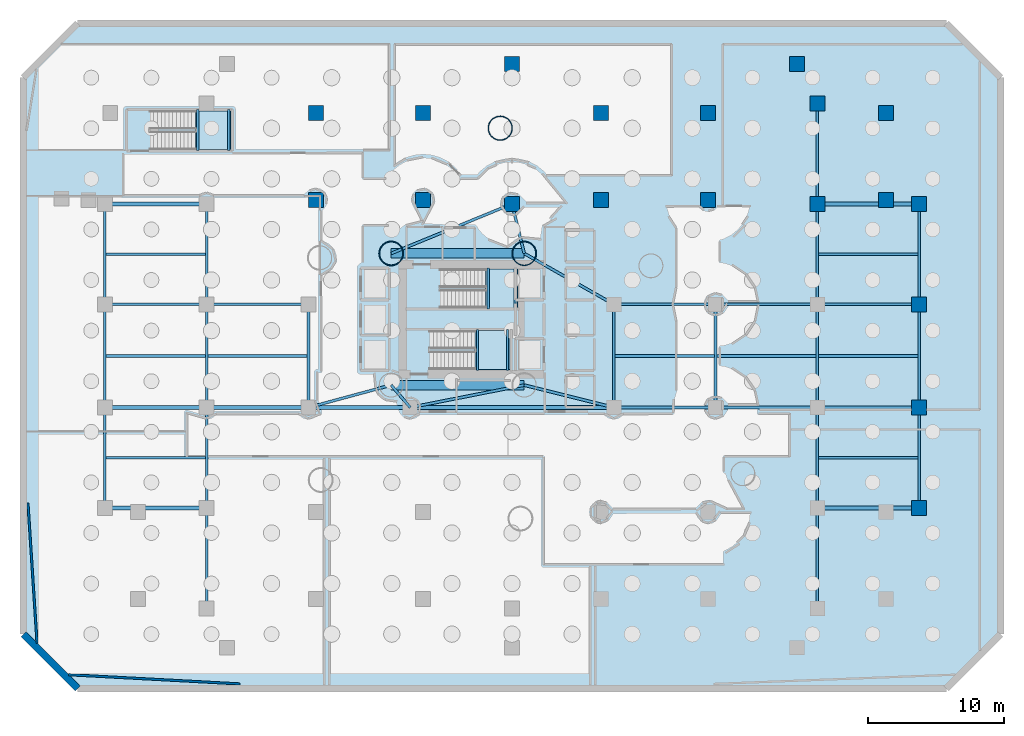
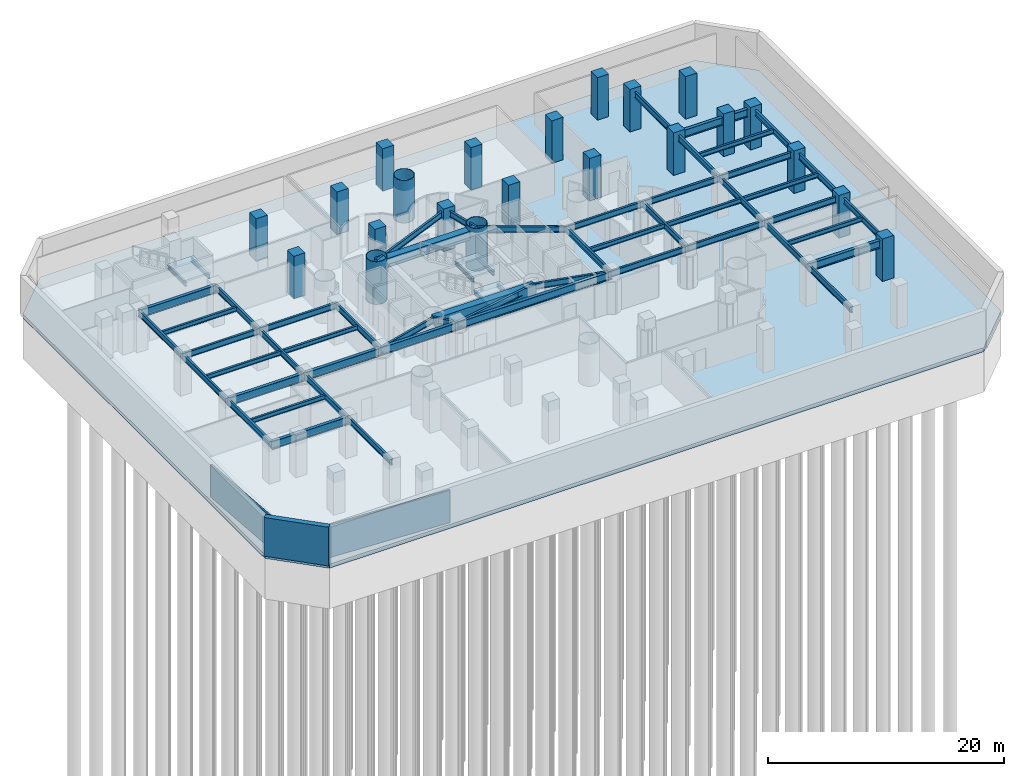
# One storey, part 2 of 13: 58 beams, 22 columns, 4 slabs, 3 walls, 3 elements without a shape of their own.
"""IFC4 building model written with IfcOpenShell, lengths in metres."""

from ifc_helpers import new_model, si_unit, direction, frame, frame_2d, origin, origin_2d, place, context, subcontext, project, spatial, polyline, rectangle, hollow_circle, i_section, outline, extrude, material, layer, layer_set, material_profile, profile_set, type_object, element, aggregate, save


model = new_model("IFC4")

# Units and contexts
model_context = context("Model", 3, precision=1e-05, world=origin(), true_north=direction((0.0, 1.0)))
body_context = subcontext(model_context, "Body", "Model", "MODEL_VIEW")
ifc_project = project(units=[si_unit("LENGTHUNIT", "METRE"), si_unit("AREAUNIT", "SQUARE_METRE"), si_unit("VOLUMEUNIT", "CUBIC_METRE"), si_unit("PLANEANGLEUNIT", "RADIAN"), si_unit("MASSUNIT", "GRAM", prefix="KILO")], contexts=[model_context])

# Site, building, storey
site_placement = place(None, origin())
site = spatial("IfcSite", under=ifc_project, at=site_placement, CompositionType="ELEMENT")
building_placement = place(site_placement, origin())
building = spatial("IfcBuilding", under=site, at=building_placement, Name="Qianvela Tower", CompositionType="ELEMENT")
storey_placement = place(building_placement, frame((0.0, 0.0, -10.0)))
storey = spatial("IfcBuildingStorey", under=building, at=storey_placement, Name="B02", CompositionType="ELEMENT", Elevation=-10.0)

# Columns
ifc_material_1 = material(Name="Steel Q420GJC", Category="steel")
ifc_material_profile_1 = material_profile(ifc_material_1, hollow_circle(Radius=0.89990234375, WallThickness=0.044921875, at=origin_2d()), Name="CFT-1800x45")
ifc_profile_set_1 = profile_set([ifc_material_profile_1], Name="Steel Q420GJC")
column_type_1 = type_object("IfcColumnType", Name="COL-CFT-1800x45", PredefinedType="COLUMN", material=ifc_profile_set_1)
for number, where, z_axis, x_axis, name in (
    (1, (28.60009765625, 33.550048828125, 0.0), (0.0, 0.0, 1.0), (1.0, 0.0, 0.0), "B02 Core Corner Mega-Column CC-NW"),
    (2, (38.39990234375, 33.550048828125, 0.0), (0.0, 0.0, 1.0), (1.0, 0.0, 0.0), "B02 Core Corner Mega-Column CC-NE"),
    (3, (36.632080078125, 42.778076171875, 0.0), (0.0, 0.0, 1.0), (1.0, 0.0, 0.0), "B02 Tower Base CFT Mega-Column C3"),
):
    element("IfcColumn", number, at=place(storey_placement, frame(where, z_axis=z_axis, x_axis=x_axis)), inside=storey, type_object=column_type_1, Name=name, PredefinedType="COLUMN", context=body_context, shape_type="SweptSolid", body=[
        extrude(hollow_circle(Radius=0.89990234375, WallThickness=0.044921875, at=origin_2d()), origin(), (0.0, 0.0, 1.0), 4.39990234375),
    ])
ifc_material_2 = material(Name="Concrete C60", Category="concrete")
ifc_material_profile_2 = material_profile(ifc_material_2, rectangle(XDim=1.10009765625, YDim=1.10009765625, at=origin_2d()), Name="RC-COL-1100x1100")
ifc_profile_set_2 = profile_set([ifc_material_profile_2], Name="Concrete C60")
column_type_2 = type_object("IfcColumnType", Name="COL-RC-1100", PredefinedType="COLUMN", material=ifc_profile_set_2)
for number, where, z_axis, x_axis, name in (
    (4, (23.044677734375, 43.89990234375, 0.0), (0.0, 0.0, 1.0), (1.0, 0.0, 0.0), "B02 Concourse Colonnade Column VC-N1-R-B1"),
    (5, (23.044677734375, 37.5, 0.0), (0.0, 0.0, 1.0), (1.0, 0.0, 0.0), "B02 Concourse Colonnade Column VC-N1-R-B2"),
    (6, (30.955322265625, 43.89990234375, 0.0), (0.0, 0.0, 1.0), (1.0, 0.0, 0.0), "B02 Concourse Colonnade Column VC-N2-L-B1"),
    (7, (30.955322265625, 37.5, 0.0), (0.0, 0.0, 1.0), (1.0, 0.0, 0.0), "B02 Concourse Colonnade Column VC-N2-L-B2"),
    (8, (44.044677734375, 43.89990234375, 0.0), (0.0, 0.0, 1.0), (1.0, 0.0, 0.0), "B02 Concourse Colonnade Column VC-N2-R-B1"),
    (9, (44.044677734375, 37.5, 0.0), (0.0, 0.0, 1.0), (1.0, 0.0, 0.0), "B02 Concourse Colonnade Column VC-N2-R-B2"),
    (10, (51.955322265625, 43.89990234375, 0.0), (0.0, 0.0, 1.0), (1.0, 0.0, 0.0), "B02 Concourse Colonnade Column VC-N3-L-B1"),
    (11, (51.955322265625, 37.5, 0.0), (0.0, 0.0, 1.0), (1.0, 0.0, 0.0), "B02 Concourse Colonnade Column VC-N3-L-B2"),
    (12, (65.044677734375, 43.89990234375, 0.0), (0.0, 0.0, 1.0), (1.0, 0.0, 0.0), "B02 Concourse Colonnade Column VC-N3-R-B1"),
    (13, (65.044677734375, 37.5, 0.0), (0.0, 0.0, 1.0), (1.0, 0.0, 0.0), "B02 Concourse Colonnade Column VC-N3-R-B2"),
    (14, (37.5, 37.199951171875, 0.0), (0.0, 0.0, 1.0), (1.0, 0.0, 0.0), "B02 Podium Grid Column P24"),
    (15, (60.0, 37.199951171875, 0.0), (0.0, 0.0, 1.0), (1.0, 0.0, 0.0), "B02 Podium Grid Column P42"),
    (16, (60.0, 44.60009765625, 0.0), (0.0, 0.0, 1.0), (1.0, 0.0, 0.0), "B02 Podium Grid Column P43"),
    (17, (67.5, 14.800048828125, 0.0), (0.0, 0.0, 1.0), (1.0, 0.0, 0.0), "B02 Podium Grid Column P44"),
    (18, (67.5, 22.199951171875, 0.0), (0.0, 0.0, 1.0), (1.0, 0.0, 0.0), "B02 Podium Grid Column P45"),
    (19, (67.5, 29.800048828125, 0.0), (0.0, 0.0, 1.0), (1.0, 0.0, 0.0), "B02 Podium Grid Column P46"),
    (20, (67.5, 37.199951171875, 0.0), (0.0, 0.0, 1.0), (1.0, 0.0, 0.0), "B02 Podium Grid Column P47"),
    (21, (37.5, 47.5, 0.0), (0.0, 0.0, 1.0), (1.0, 0.0, 0.0), "B02 Concourse V-Column Pier VC-N2"),
    (22, (58.5, 47.5, 0.0), (0.0, 0.0, 1.0), (1.0, 0.0, 0.0), "B02 Concourse V-Column Pier VC-N3"),
):
    element("IfcColumn", number, at=place(storey_placement, frame(where, z_axis=z_axis, x_axis=x_axis)), inside=storey, type_object=column_type_2, Name=name, PredefinedType="COLUMN", context=body_context, shape_type="SweptSolid", body=[
        extrude(rectangle(XDim=1.10009765625, YDim=1.10009765625, at=origin_2d()), origin(), (0.0, 0.0, 1.0), 4.39990234375),
    ])

# Beams
ifc_material_3 = material(Name="Steel Q355B", Category="steel")
ifc_material_profile_3 = material_profile(ifc_material_3, i_section(OverallWidth=0.175048828125, OverallDepth=0.35009765625, WebThickness=0.007080078125, FlangeThickness=0.010986328125, at=origin_2d()), Name="HN350x175x7x11")
ifc_profile_set_3 = profile_set([ifc_material_profile_3], Name="Steel Q355B")
beam_type_1 = type_object("IfcBeamType", Name="BM-HN350-JOIST", PredefinedType="JOIST", material=ifc_profile_set_3)
for number, where, z_axis, x_axis, name in (
    (23, (35.739990234375, 29.4599609375, 1.824951171875), (0.0, 1.0, 0.0), (-1.0, 0.0, 0.0), "B02 Stair ST-1 Landing Support Beam 1.1"),
    (24, (37.719970703125, 29.4599609375, 1.824951171875), (0.0, 1.0, 0.0), (-1.0, 0.0, 0.0), "B02 Stair ST-1 Landing Support Beam 1.2"),
    (25, (34.9599609375, 24.919921875, 1.824951171875), (0.0, 1.0, 0.0), (-1.0, 0.0, 0.0), "B02 Stair ST-2 Landing Support Beam 1.1"),
    (26, (37.169921875, 24.919921875, 1.824951171875), (0.0, 1.0, 0.0), (-1.0, 0.0, 0.0), "B02 Stair ST-2 Landing Support Beam 1.2"),
):
    element("IfcBeam", number, at=place(storey_placement, frame(where, z_axis=z_axis, x_axis=x_axis)), inside=storey, type_object=beam_type_1, Name=name, PredefinedType="JOIST", context=body_context, shape_type="SweptSolid", body=[
        extrude(i_section(OverallWidth=0.175048828125, OverallDepth=0.35009765625, WebThickness=0.007080078125, FlangeThickness=0.010986328125, at=origin_2d()), origin(), (0.0, 0.0, 1.0), 3.02001953125),
    ])
for number, where, z_axis, x_axis, name in (
    (27, (14.360107421875, 41.1201171875, 1.824951171875), (0.0, 1.0, 0.0), (-1.0, 0.0, 0.0), "B02 Stair ST-3 Landing Support Beam 1.1"),
    (28, (16.6201171875, 41.1201171875, 1.824951171875), (0.0, 1.0, 0.0), (-1.0, 0.0, 0.0), "B02 Stair ST-3 Landing Support Beam 1.2"),
):
    element("IfcBeam", number, at=place(storey_placement, frame(where, z_axis=z_axis, x_axis=x_axis)), inside=storey, type_object=beam_type_1, Name=name, PredefinedType="JOIST", context=body_context, shape_type="SweptSolid", body=[
        extrude(i_section(OverallWidth=0.175048828125, OverallDepth=0.35009765625, WebThickness=0.007080078125, FlangeThickness=0.010986328125, at=origin_2d()), origin(), (0.0, 0.0, 1.0), 3.019775390625),
    ])
ifc_material_4 = material(Name="Steel Q355B", Category="steel")
ifc_material_profile_4 = material_profile(ifc_material_4, i_section(OverallWidth=0.199951171875, OverallDepth=0.449951171875, WebThickness=0.009033203125, FlangeThickness=0.013916015625, at=origin_2d()), Name="HN450x200x9x14")
ifc_profile_set_4 = profile_set([ifc_material_profile_4], Name="Steel Q355B")
beam_type_2 = type_object("IfcBeamType", Name="BM-HN450-JOIST", PredefinedType="JOIST", material=ifc_profile_set_4)
for number, where, z_axis, x_axis, name in (
    (29, (7.595947265625, 18.5, 3.77294921875), (1.0, 0.0, 0.0), (0.0, 1.0, 0.0), "B02 Secondary Floor Joist 44"),
    (30, (7.595947265625, 26.0, 3.77294921875), (1.0, 0.0, 0.0), (0.0, 1.0, 0.0), "B02 Secondary Floor Joist 45"),
    (31, (7.595947265625, 33.5, 3.77294921875), (1.0, 0.0, 0.0), (0.0, 1.0, 0.0), "B02 Secondary Floor Joist 46"),
    (32, (15.095947265625, 26.0, 3.77294921875), (1.0, 0.0, 0.0), (0.0, 1.0, 0.0), "B02 Secondary Floor Joist 47"),
    (33, (45.095947265625, 26.0, 3.77294921875), (1.0, 0.0, 0.0), (0.0, 1.0, 0.0), "B02 Secondary Floor Joist 48"),
    (34, (52.595947265625, 26.0, 3.77294921875), (1.0, 0.0, 0.0), (0.0, 1.0, 0.0), "B02 Secondary Floor Joist 49"),
    (35, (60.095947265625, 18.5, 3.77294921875), (1.0, 0.0, 0.0), (0.0, 1.0, 0.0), "B02 Secondary Floor Joist 50"),
    (36, (60.095947265625, 26.0, 3.77294921875), (1.0, 0.0, 0.0), (0.0, 1.0, 0.0), "B02 Secondary Floor Joist 51"),
    (37, (60.095947265625, 33.5, 3.77294921875), (1.0, 0.0, 0.0), (0.0, 1.0, 0.0), "B02 Secondary Floor Joist 52"),
):
    element("IfcBeam", number, at=place(storey_placement, frame(where, z_axis=z_axis, x_axis=x_axis)), inside=storey, type_object=beam_type_2, Name=name, PredefinedType="JOIST", context=body_context, shape_type="SweptSolid", body=[
        extrude(i_section(OverallWidth=0.199951171875, OverallDepth=0.449951171875, WebThickness=0.009033203125, FlangeThickness=0.013916015625, at=origin_2d()), origin(), (0.0, 0.0, 1.0), 7.30810546875),
    ])
ifc_material_5 = material(Name="Steel Q355B", Category="steel")
ifc_material_profile_5 = material_profile(ifc_material_5, i_section(OverallWidth=0.199951171875, OverallDepth=0.60009765625, WebThickness=0.010986328125, FlangeThickness=0.01708984375, at=origin_2d()), Name="HN600x200x11x17")
ifc_profile_set_5 = profile_set([ifc_material_profile_5], Name="Steel Q355B")
beam_type_3 = type_object("IfcBeamType", Name="BM-HN600-GIRD", PredefinedType="BEAM", material=ifc_profile_set_5)
for number, where, z_axis, x_axis, name in (
    (38, (45.0, 22.199951171875, 3.697998046875), (1.0, 0.0, 0.0), (0.0, 1.0, 0.0), "B02 East-West Grid Girder 7"),
    (39, (52.5, 22.199951171875, 3.697998046875), (1.0, 0.0, 0.0), (0.0, 1.0, 0.0), "B02 East-West Grid Girder 8"),
    (40, (60.0, 22.199951171875, 3.697998046875), (1.0, 0.0, 0.0), (0.0, 1.0, 0.0), "B02 East-West Grid Girder 9"),
    (41, (7.5, 29.800048828125, 3.697998046875), (1.0, 0.0, 0.0), (0.0, 1.0, 0.0), "B02 East-West Grid Girder 10"),
    (42, (15.0, 29.800048828125, 3.697998046875), (1.0, 0.0, 0.0), (0.0, 1.0, 0.0), "B02 East-West Grid Girder 11"),
    (43, (45.0, 29.800048828125, 3.697998046875), (1.0, 0.0, 0.0), (0.0, 1.0, 0.0), "B02 East-West Grid Girder 12"),
    (44, (52.5, 29.800048828125, 3.697998046875), (1.0, 0.0, 0.0), (0.0, 1.0, 0.0), "B02 East-West Grid Girder 13"),
    (45, (60.0, 29.800048828125, 3.697998046875), (1.0, 0.0, 0.0), (0.0, 1.0, 0.0), "B02 East-West Grid Girder 14"),
):
    element("IfcBeam", number, at=place(storey_placement, frame(where, z_axis=z_axis, x_axis=x_axis)), inside=storey, type_object=beam_type_3, Name=name, PredefinedType="BEAM", context=body_context, shape_type="SweptSolid", body=[
        extrude(i_section(OverallWidth=0.199951171875, OverallDepth=0.60009765625, WebThickness=0.010986328125, FlangeThickness=0.01708984375, at=origin_2d()), origin(), (0.0, 0.0, 1.0), 7.5),
    ])
beam_1_placement = place(storey_placement, frame((7.5, 14.800048828125, 3.697998046875), z_axis=(0.0, 1.0, 0.0), x_axis=(-1.0, 0.0, 0.0)))
element("IfcBeam", 46, at=beam_1_placement, inside=storey, type_object=beam_type_3, Name="B02 North-South Grid Girder 17", PredefinedType="BEAM", context=body_context, shape_type="SweptSolid", body=[
    extrude(i_section(OverallWidth=0.199951171875, OverallDepth=0.60009765625, WebThickness=0.010986328125, FlangeThickness=0.01708984375, at=origin_2d()), origin(), (0.0, 0.0, 1.0), 7.39990234375),
])
beam_2_placement = place(storey_placement, frame((7.5, 22.199951171875, 3.697998046875), z_axis=(0.0, 1.0, 0.0), x_axis=(-1.0, 0.0, 0.0)))
element("IfcBeam", 47, at=beam_2_placement, inside=storey, type_object=beam_type_3, Name="B02 North-South Grid Girder 18", PredefinedType="BEAM", context=body_context, shape_type="SweptSolid", body=[
    extrude(i_section(OverallWidth=0.199951171875, OverallDepth=0.60009765625, WebThickness=0.010986328125, FlangeThickness=0.01708984375, at=origin_2d()), origin(), (0.0, 0.0, 1.0), 7.60009765625),
])
beam_3_placement = place(storey_placement, frame((7.5, 29.800048828125, 3.697998046875), z_axis=(0.0, 1.0, 0.0), x_axis=(-1.0, 0.0, 0.0)))
element("IfcBeam", 48, at=beam_3_placement, inside=storey, type_object=beam_type_3, Name="B02 North-South Grid Girder 19", PredefinedType="BEAM", context=body_context, shape_type="SweptSolid", body=[
    extrude(i_section(OverallWidth=0.199951171875, OverallDepth=0.60009765625, WebThickness=0.010986328125, FlangeThickness=0.01708984375, at=origin_2d()), origin(), (0.0, 0.0, 1.0), 7.39990234375),
])
beam_4_placement = place(storey_placement, frame((15.0, 7.39990234375, 3.697998046875), z_axis=(0.0, 1.0, 0.0), x_axis=(-1.0, 0.0, 0.0)))
element("IfcBeam", 49, at=beam_4_placement, inside=storey, type_object=beam_type_3, Name="B02 North-South Grid Girder 20", PredefinedType="BEAM", context=body_context, shape_type="SweptSolid", body=[
    extrude(i_section(OverallWidth=0.199951171875, OverallDepth=0.60009765625, WebThickness=0.010986328125, FlangeThickness=0.01708984375, at=origin_2d()), origin(), (0.0, 0.0, 1.0), 7.400146484375),
])
beam_5_placement = place(storey_placement, frame((15.0, 14.800048828125, 3.697998046875), z_axis=(0.0, 1.0, 0.0), x_axis=(-1.0, 0.0, 0.0)))
element("IfcBeam", 50, at=beam_5_placement, inside=storey, type_object=beam_type_3, Name="B02 North-South Grid Girder 21", PredefinedType="BEAM", context=body_context, shape_type="SweptSolid", body=[
    extrude(i_section(OverallWidth=0.199951171875, OverallDepth=0.60009765625, WebThickness=0.010986328125, FlangeThickness=0.01708984375, at=origin_2d()), origin(), (0.0, 0.0, 1.0), 7.39990234375),
])
beam_6_placement = place(storey_placement, frame((15.0, 22.199951171875, 3.697998046875), z_axis=(0.0, 1.0, 0.0), x_axis=(-1.0, 0.0, 0.0)))
element("IfcBeam", 51, at=beam_6_placement, inside=storey, type_object=beam_type_3, Name="B02 North-South Grid Girder 22", PredefinedType="BEAM", context=body_context, shape_type="SweptSolid", body=[
    extrude(i_section(OverallWidth=0.199951171875, OverallDepth=0.60009765625, WebThickness=0.010986328125, FlangeThickness=0.01708984375, at=origin_2d()), origin(), (0.0, 0.0, 1.0), 7.60009765625),
])
beam_7_placement = place(storey_placement, frame((15.0, 29.800048828125, 3.697998046875), z_axis=(0.0, 1.0, 0.0), x_axis=(-1.0, 0.0, 0.0)))
element("IfcBeam", 52, at=beam_7_placement, inside=storey, type_object=beam_type_3, Name="B02 North-South Grid Girder 23", PredefinedType="BEAM", context=body_context, shape_type="SweptSolid", body=[
    extrude(i_section(OverallWidth=0.199951171875, OverallDepth=0.60009765625, WebThickness=0.010986328125, FlangeThickness=0.01708984375, at=origin_2d()), origin(), (0.0, 0.0, 1.0), 7.39990234375),
])
for number, where, z_axis, x_axis, name in (
    (53, (22.5, 22.199951171875, 3.697998046875), (0.0, 1.0, 0.0), (-1.0, 0.0, 0.0), "B02 North-South Grid Girder 25"),
    (54, (45.0, 22.199951171875, 3.697998046875), (0.0, 1.0, 0.0), (-1.0, 0.0, 0.0), "B02 North-South Grid Girder 26"),
    (55, (52.5, 22.199951171875, 3.697998046875), (0.0, 1.0, 0.0), (-1.0, 0.0, 0.0), "B02 North-South Grid Girder 27"),
):
    element("IfcBeam", number, at=place(storey_placement, frame(where, z_axis=z_axis, x_axis=x_axis)), inside=storey, type_object=beam_type_3, Name=name, PredefinedType="BEAM", context=body_context, shape_type="SweptSolid", body=[
        extrude(i_section(OverallWidth=0.199951171875, OverallDepth=0.60009765625, WebThickness=0.010986328125, FlangeThickness=0.01708984375, at=origin_2d()), origin(), (0.0, 0.0, 1.0), 7.60009765625),
    ])
beam_8_placement = place(storey_placement, frame((60.0, 7.39990234375, 3.697998046875), z_axis=(0.0, 1.0, 0.0), x_axis=(-1.0, 0.0, 0.0)))
element("IfcBeam", 56, at=beam_8_placement, inside=storey, type_object=beam_type_3, Name="B02 North-South Grid Girder 28", PredefinedType="BEAM", context=body_context, shape_type="SweptSolid", body=[
    extrude(i_section(OverallWidth=0.199951171875, OverallDepth=0.60009765625, WebThickness=0.010986328125, FlangeThickness=0.01708984375, at=origin_2d()), origin(), (0.0, 0.0, 1.0), 7.400146484375),
])
beam_9_placement = place(storey_placement, frame((60.0, 14.800048828125, 3.697998046875), z_axis=(0.0, 1.0, 0.0), x_axis=(-1.0, 0.0, 0.0)))
element("IfcBeam", 57, at=beam_9_placement, inside=storey, type_object=beam_type_3, Name="B02 North-South Grid Girder 29", PredefinedType="BEAM", context=body_context, shape_type="SweptSolid", body=[
    extrude(i_section(OverallWidth=0.199951171875, OverallDepth=0.60009765625, WebThickness=0.010986328125, FlangeThickness=0.01708984375, at=origin_2d()), origin(), (0.0, 0.0, 1.0), 7.39990234375),
])
beam_10_placement = place(storey_placement, frame((60.0, 22.199951171875, 3.697998046875), z_axis=(0.0, 1.0, 0.0), x_axis=(-1.0, 0.0, 0.0)))
element("IfcBeam", 58, at=beam_10_placement, inside=storey, type_object=beam_type_3, Name="B02 North-South Grid Girder 30", PredefinedType="BEAM", context=body_context, shape_type="SweptSolid", body=[
    extrude(i_section(OverallWidth=0.199951171875, OverallDepth=0.60009765625, WebThickness=0.010986328125, FlangeThickness=0.01708984375, at=origin_2d()), origin(), (0.0, 0.0, 1.0), 7.60009765625),
])
beam_11_placement = place(storey_placement, frame((60.0, 29.800048828125, 3.697998046875), z_axis=(0.0, 1.0, 0.0), x_axis=(-1.0, 0.0, 0.0)))
element("IfcBeam", 59, at=beam_11_placement, inside=storey, type_object=beam_type_3, Name="B02 North-South Grid Girder 31", PredefinedType="BEAM", context=body_context, shape_type="SweptSolid", body=[
    extrude(i_section(OverallWidth=0.199951171875, OverallDepth=0.60009765625, WebThickness=0.010986328125, FlangeThickness=0.01708984375, at=origin_2d()), origin(), (0.0, 0.0, 1.0), 7.39990234375),
])
beam_12_placement = place(storey_placement, frame((60.0, 37.199951171875, 3.697998046875), z_axis=(0.0, 1.0, 0.0), x_axis=(-1.0, 0.0, 0.0)))
element("IfcBeam", 60, at=beam_12_placement, inside=storey, type_object=beam_type_3, Name="B02 North-South Grid Girder 32", PredefinedType="BEAM", context=body_context, shape_type="SweptSolid", body=[
    extrude(i_section(OverallWidth=0.199951171875, OverallDepth=0.60009765625, WebThickness=0.010986328125, FlangeThickness=0.01708984375, at=origin_2d()), origin(), (0.0, 0.0, 1.0), 7.400146484375),
])
beam_13_placement = place(storey_placement, frame((67.5, 14.800048828125, 3.697998046875), z_axis=(0.0, 1.0, 0.0), x_axis=(-1.0, 0.0, 0.0)))
element("IfcBeam", 61, at=beam_13_placement, inside=storey, type_object=beam_type_3, Name="B02 North-South Grid Girder 33", PredefinedType="BEAM", context=body_context, shape_type="SweptSolid", body=[
    extrude(i_section(OverallWidth=0.199951171875, OverallDepth=0.60009765625, WebThickness=0.010986328125, FlangeThickness=0.01708984375, at=origin_2d()), origin(), (0.0, 0.0, 1.0), 7.39990234375),
])
beam_14_placement = place(storey_placement, frame((67.5, 22.199951171875, 3.697998046875), z_axis=(0.0, 1.0, 0.0), x_axis=(-1.0, 0.0, 0.0)))
element("IfcBeam", 62, at=beam_14_placement, inside=storey, type_object=beam_type_3, Name="B02 North-South Grid Girder 34", PredefinedType="BEAM", context=body_context, shape_type="SweptSolid", body=[
    extrude(i_section(OverallWidth=0.199951171875, OverallDepth=0.60009765625, WebThickness=0.010986328125, FlangeThickness=0.01708984375, at=origin_2d()), origin(), (0.0, 0.0, 1.0), 7.60009765625),
])
beam_15_placement = place(storey_placement, frame((67.5, 29.800048828125, 3.697998046875), z_axis=(0.0, 1.0, 0.0), x_axis=(-1.0, 0.0, 0.0)))
element("IfcBeam", 63, at=beam_15_placement, inside=storey, type_object=beam_type_3, Name="B02 North-South Grid Girder 35", PredefinedType="BEAM", context=body_context, shape_type="SweptSolid", body=[
    extrude(i_section(OverallWidth=0.199951171875, OverallDepth=0.60009765625, WebThickness=0.010986328125, FlangeThickness=0.01708984375, at=origin_2d()), origin(), (0.0, 0.0, 1.0), 7.39990234375),
])
beam_16_placement = place(storey_placement, frame((28.60009765625, 33.550048828125, 3.697998046875), z_axis=(0.925217514763, 0.379437149441, 0.0), x_axis=(-0.379437149441, 0.925217514763, 0.0)))
element("IfcBeam", 64, at=beam_16_placement, inside=storey, type_object=beam_type_3, Name="B02 Core Tie Girder 37", PredefinedType="BEAM", context=body_context, shape_type="SweptSolid", body=[
    extrude(i_section(OverallWidth=0.199951171875, OverallDepth=0.60009765625, WebThickness=0.010986328125, FlangeThickness=0.01708984375, at=origin_2d()), origin(), (0.0, 0.0, 1.0), 9.619140625),
])
beam_17_placement = place(storey_placement, frame((28.60009765625, 23.85009765625, 3.697998046875), z_axis=(0.646917812917, -0.762559730992, 0.0), x_axis=(0.762559730992, 0.646917812917, 0.0)))
element("IfcBeam", 65, at=beam_17_placement, inside=storey, type_object=beam_type_3, Name="B02 Core Tie Girder 38", PredefinedType="BEAM", context=body_context, shape_type="SweptSolid", body=[
    extrude(i_section(OverallWidth=0.199951171875, OverallDepth=0.60009765625, WebThickness=0.010986328125, FlangeThickness=0.01708984375, at=origin_2d()), origin(), (0.0, 0.0, 1.0), 2.1640625),
])
beam_18_placement = place(storey_placement, frame((28.60009765625, 23.85009765625, 3.697998046875), z_axis=(-0.96530472097, -0.26112601493, 0.0), x_axis=(0.26112601493, -0.96530472097, 0.0)))
element("IfcBeam", 66, at=beam_18_placement, inside=storey, type_object=beam_type_3, Name="B02 Core Tie Girder 39", PredefinedType="BEAM", context=body_context, shape_type="SweptSolid", body=[
    extrude(i_section(OverallWidth=0.199951171875, OverallDepth=0.60009765625, WebThickness=0.010986328125, FlangeThickness=0.01708984375, at=origin_2d()), origin(), (0.0, 0.0, 1.0), 6.3193359375),
])
beam_19_placement = place(storey_placement, frame((38.39990234375, 33.550048828125, 3.697998046875), z_axis=(-0.239386436846, 0.970924370821, 0.0), x_axis=(-0.970924370821, -0.239386436846, 0.0)))
element("IfcBeam", 67, at=beam_19_placement, inside=storey, type_object=beam_type_3, Name="B02 Core Tie Girder 40", PredefinedType="BEAM", context=body_context, shape_type="SweptSolid", body=[
    extrude(i_section(OverallWidth=0.199951171875, OverallDepth=0.60009765625, WebThickness=0.010986328125, FlangeThickness=0.01708984375, at=origin_2d()), origin(), (0.0, 0.0, 1.0), 3.75927734375),
])
beam_20_placement = place(storey_placement, frame((38.39990234375, 33.550048828125, 3.697998046875), z_axis=(0.869459696941, -0.494003881964, 0.0), x_axis=(0.494003881964, 0.869459696941, 0.0)))
element("IfcBeam", 68, at=beam_20_placement, inside=storey, type_object=beam_type_3, Name="B02 Core Tie Girder 41", PredefinedType="BEAM", context=body_context, shape_type="SweptSolid", body=[
    extrude(i_section(OverallWidth=0.199951171875, OverallDepth=0.60009765625, WebThickness=0.010986328125, FlangeThickness=0.01708984375, at=origin_2d()), origin(), (0.0, 0.0, 1.0), 7.591064453125),
])
beam_21_placement = place(storey_placement, frame((38.39990234375, 23.85009765625, 3.697998046875), z_axis=(0.970138278133, -0.242552512462, 0.0), x_axis=(0.242552512462, 0.970138278133, 0.0)))
element("IfcBeam", 69, at=beam_21_placement, inside=storey, type_object=beam_type_3, Name="B02 Core Tie Girder 42", PredefinedType="BEAM", context=body_context, shape_type="SweptSolid", body=[
    extrude(i_section(OverallWidth=0.199951171875, OverallDepth=0.60009765625, WebThickness=0.010986328125, FlangeThickness=0.01708984375, at=origin_2d()), origin(), (0.0, 0.0, 1.0), 6.80322265625),
])
beam_22_placement = place(storey_placement, frame((38.39990234375, 23.85009765625, 3.697998046875), z_axis=(-0.981245160169, -0.192763937615, 0.0), x_axis=(0.192763937615, -0.981245160169, 0.0)))
element("IfcBeam", 70, at=beam_22_placement, inside=storey, type_object=beam_type_3, Name="B02 Core Tie Girder 43", PredefinedType="BEAM", context=body_context, shape_type="SweptSolid", body=[
    extrude(i_section(OverallWidth=0.199951171875, OverallDepth=0.60009765625, WebThickness=0.010986328125, FlangeThickness=0.01708984375, at=origin_2d()), origin(), (0.0, 0.0, 1.0), 8.560546875),
])
ifc_material_6 = material(Name="Steel Q355B", Category="steel")
ifc_material_profile_6 = material_profile(ifc_material_6, i_section(OverallWidth=0.300048828125, OverallDepth=0.800048828125, WebThickness=0.013916015625, FlangeThickness=0.02587890625, at=origin_2d()), Name="HN800x300x14x26")
ifc_profile_set_6 = profile_set([ifc_material_profile_6], Name="Steel Q355B")
beam_type_4 = type_object("IfcBeamType", Name="BM-HN800-SPAND", PredefinedType="SPANDREL", material=ifc_profile_set_6)
for number, where, z_axis, x_axis, name in (
    (71, (7.5, 14.800048828125, 3.597900390625), (1.0, 0.0, 0.0), (0.0, 1.0, 0.0), "B02 East-West Grid Girder 1"),
    (72, (60.0, 14.800048828125, 3.597900390625), (1.0, 0.0, 0.0), (0.0, 1.0, 0.0), "B02 East-West Grid Girder 2"),
    (73, (7.5, 22.199951171875, 3.597900390625), (1.0, 0.0, 0.0), (0.0, 1.0, 0.0), "B02 East-West Grid Girder 3"),
    (74, (15.0, 22.199951171875, 3.597900390625), (1.0, 0.0, 0.0), (0.0, 1.0, 0.0), "B02 East-West Grid Girder 4"),
    (75, (22.5, 22.199951171875, 3.597900390625), (1.0, 0.0, 0.0), (0.0, 1.0, 0.0), "B02 East-West Grid Girder 5"),
):
    element("IfcBeam", number, at=place(storey_placement, frame(where, z_axis=z_axis, x_axis=x_axis)), inside=storey, type_object=beam_type_4, Name=name, PredefinedType="SPANDREL", context=body_context, shape_type="SweptSolid", body=[
        extrude(i_section(OverallWidth=0.300048828125, OverallDepth=0.800048828125, WebThickness=0.013916015625, FlangeThickness=0.02587890625, at=origin_2d()), origin(), (0.0, 0.0, 1.0), 7.5),
    ])
beam_23_placement = place(storey_placement, frame((30.0, 22.199951171875, 3.597900390625), z_axis=(1.0, 0.0, 0.0), x_axis=(0.0, 1.0, 0.0)))
element("IfcBeam", 76, at=beam_23_placement, inside=storey, type_object=beam_type_4, Name="B02 East-West Grid Girder 6", PredefinedType="SPANDREL", context=body_context, shape_type="SweptSolid", body=[
    extrude(i_section(OverallWidth=0.300048828125, OverallDepth=0.800048828125, WebThickness=0.013916015625, FlangeThickness=0.02587890625, at=origin_2d()), origin(), (0.0, 0.0, 1.0), 15.0),
])
for number, where, z_axis, x_axis, name in (
    (77, (7.5, 37.199951171875, 3.597900390625), (1.0, 0.0, 0.0), (0.0, 1.0, 0.0), "B02 East-West Grid Girder 15"),
    (78, (60.0, 37.199951171875, 3.597900390625), (1.0, 0.0, 0.0), (0.0, 1.0, 0.0), "B02 East-West Grid Girder 16"),
):
    element("IfcBeam", number, at=place(storey_placement, frame(where, z_axis=z_axis, x_axis=x_axis)), inside=storey, type_object=beam_type_4, Name=name, PredefinedType="SPANDREL", context=body_context, shape_type="SweptSolid", body=[
        extrude(i_section(OverallWidth=0.300048828125, OverallDepth=0.800048828125, WebThickness=0.013916015625, FlangeThickness=0.02587890625, at=origin_2d()), origin(), (0.0, 0.0, 1.0), 7.5),
    ])
ifc_material_7 = material(Name="Concrete C60", Category="concrete")
ifc_material_profile_7 = material_profile(ifc_material_7, rectangle(XDim=0.699951171875, YDim=0.89990234375, at=origin_2d()), Name="RC-BM-700x900")
ifc_profile_set_7 = profile_set([ifc_material_profile_7], Name="Concrete C60")
beam_type_5 = type_object("IfcBeamType", Name="BM-RC-700x900", PredefinedType="LINTEL", material=ifc_profile_set_7)
for number, where, z_axis, x_axis, name in (
    (79, (28.60009765625, 23.85009765625, 3.548095703125), (1.0, 0.0, 0.0), (0.0, 1.0, 0.0), "B01 Basement Core Tie Beam 1"),
    (80, (28.60009765625, 33.550048828125, 3.548095703125), (1.0, 0.0, 0.0), (0.0, 1.0, 0.0), "B01 Basement Core Tie Beam 2"),
):
    element("IfcBeam", number, at=place(storey_placement, frame(where, z_axis=z_axis, x_axis=x_axis)), inside=storey, type_object=beam_type_5, Name=name, PredefinedType="LINTEL", context=body_context, shape_type="SweptSolid", body=[
        extrude(rectangle(XDim=0.699951171875, YDim=0.89990234375, at=origin_2d()), origin(), (0.0, 0.0, 1.0), 9.7998046875),
    ])

# Slab
ifc_material_8 = material(Name="Concrete C50", Category="concrete")
ifc_layer_1 = layer(ifc_material_8, 0.39990234375)
ifc_layer_set_1 = layer_set([ifc_layer_1], Name="Concrete C50")
slab_type_1 = type_object("IfcSlabType", Name="SL-BASE-400", PredefinedType="BASESLAB", material=ifc_layer_set_1)
slab_1_placement = place(storey_placement, frame((0.0, 0.0, -0.39990234375)))
element("IfcSlab", 81, at=slab_1_placement, inside=storey, type_object=slab_type_1, Name="B02 Structural Base Slab", PredefinedType="BASESLAB", context=body_context, shape_type="SweptSolid", body=[
    extrude(outline(polyline([(5.5, 1.5), (69.5, 1.5), (73.5, 5.5), (73.5, 46.5), (69.5, 50.5), (5.5, 50.5), (1.5, 46.5), (1.5, 5.5), (5.5, 1.5)])), origin(), (0.0, 0.0, 1.0), 0.39990234375),
])

# Stair, slab
ifc_material_9 = material(Name="Concrete C40", Category="concrete")
stair_type = type_object("IfcStairType", Name="ST-DOGLEG-1350-R169-N26", PredefinedType="HALF_TURN_STAIR", material=ifc_material_9)
stair_1_placement = place(storey_placement, origin())
stair_1 = element("IfcStair", 82, at=stair_1_placement, inside=storey, type_object=stair_type, Name="B02 Smoke-Proof Core Stair ST-1", PredefinedType="HALF_TURN_STAIR")
ifc_material_10 = material(Name="Concrete C40", Category="concrete")
ifc_layer_2 = layer(ifc_material_10, 0.199951171875)
ifc_layer_set_2 = layer_set([ifc_layer_2], Name="Concrete C40")
slab_type_2 = type_object("IfcSlabType", Name="SL-STAIR-LANDING-200", PredefinedType="LANDING", material=ifc_layer_set_2)
slab_2_placement = place(storey_placement, frame((0.0, 0.0, 2.0)))
slab_2 = element("IfcSlab", 83, at=slab_2_placement, type_object=slab_type_2, Name="ST-1 landing 1", PredefinedType="LANDING", context=body_context, shape_type="SweptSolid", body=[
    extrude(outline(polyline([(35.56005859375, 29.5400390625), (37.89990234375, 29.5400390625), (37.89990234375, 32.39990234375), (35.56005859375, 32.39990234375), (35.56005859375, 29.5400390625)])), origin(), (0.0, 0.0, 1.0), 0.199951171875),
])
aggregate(stair_1, [slab_2])

stair_2_placement = place(storey_placement, origin())
stair_2 = element("IfcStair", 84, at=stair_2_placement, inside=storey, type_object=stair_type, Name="B02 Smoke-Proof Core Stair ST-2", PredefinedType="HALF_TURN_STAIR")
slab_3_placement = place(storey_placement, frame((0.0, 0.0, 2.0)))
slab_3 = element("IfcSlab", 85, at=slab_3_placement, type_object=slab_type_2, Name="ST-2 landing 1", PredefinedType="LANDING", context=body_context, shape_type="SweptSolid", body=[
    extrude(outline(polyline([(34.780029296875, 25.0), (37.35009765625, 25.0), (37.35009765625, 27.860107421875), (34.780029296875, 27.860107421875), (34.780029296875, 25.0)])), origin(), (0.0, 0.0, 1.0), 0.199951171875),
])
aggregate(stair_2, [slab_3])

stair_3_placement = place(storey_placement, origin())
stair_3 = element("IfcStair", 86, at=stair_3_placement, inside=storey, type_object=stair_type, Name="B02 Smoke-Proof Core Stair ST-3", PredefinedType="HALF_TURN_STAIR")
slab_4_placement = place(storey_placement, frame((0.0, 0.0, 2.0)))
slab_4 = element("IfcSlab", 87, at=slab_4_placement, type_object=slab_type_2, Name="ST-3 landing 1", PredefinedType="LANDING", context=body_context, shape_type="SweptSolid", body=[
    extrude(outline(polyline([(14.179931640625, 41.199951171875), (16.800048828125, 41.199951171875), (16.800048828125, 44.06005859375), (14.179931640625, 44.06005859375), (14.179931640625, 41.199951171875)])), origin(), (0.0, 0.0, 1.0), 0.199951171875),
])
aggregate(stair_3, [slab_4])

# Walls
ifc_material_11 = material(Name="Fire-Rated Gypsum and Concrete Block", Category="concrete")
ifc_layer_3 = layer(ifc_material_11, 0.159912109375)
ifc_layer_set_3 = layer_set([ifc_layer_3], Name="Fire-Rated Gypsum and Concrete Block")
wall_type_1 = type_object("IfcWallType", Name="WT-CORR-160", PredefinedType="PARTITIONING", material=ifc_layer_set_3)
wall_1_placement = place(storey_placement, frame((17.44482421875, 1.8349609375, 0.0), z_axis=(0.0, 0.0, 1.0), x_axis=(-0.998569164078, 0.053475457479, 0.0)))
element("IfcWall", 88, at=wall_1_placement, inside=storey, type_object=wall_type_1, Name="B02 Partition 265 seg 1", PredefinedType="PARTITIONING", context=body_context, shape_type="SweptSolid", body=[
    extrude(rectangle(XDim=12.63720703125, YDim=0.159912109375, at=frame_2d((6.318603515625, 0.0))), origin(), (0.0, 0.0, 1.0), 3.320068359375),
])
wall_2_placement = place(storey_placement, frame((2.50634765625, 4.830322265625, 0.0), z_axis=(0.0, 0.0, 1.0), x_axis=(-0.06476356996, 0.997900636339, 0.0)))
element("IfcWall", 89, at=wall_2_placement, inside=storey, type_object=wall_type_1, Name="B02 Partition 267 seg 1", PredefinedType="PARTITIONING", context=body_context, shape_type="SweptSolid", body=[
    extrude(rectangle(XDim=10.36669921875, YDim=0.159912109375, at=frame_2d((5.183349609375, 0.0))), origin(), (0.0, 0.0, 1.0), 3.320068359375),
])
ifc_material_12 = material(Name="Waterproof Concrete C50", Category="concrete")
ifc_layer_4 = layer(ifc_material_12, 0.5)
ifc_layer_set_4 = layer_set([ifc_layer_4], Name="Waterproof Concrete C50")
wall_type_2 = type_object("IfcWallType", Name="WT-RET-500", PredefinedType="SOLIDWALL", material=ifc_layer_set_4)
wall_3_placement = place(storey_placement, frame((1.5, 5.5, 0.0), z_axis=(0.0, 0.0, 1.0), x_axis=(0.707106781187, -0.707106781187, 0.0)))
element("IfcWall", 90, at=wall_3_placement, inside=storey, type_object=wall_type_2, Name="B02 Perimeter Diaphragm Retaining Wall 8", PredefinedType="SOLIDWALL", context=body_context, shape_type="SweptSolid", body=[
    extrude(rectangle(XDim=5.65673828125, YDim=0.5, at=frame_2d((2.828369140625, 0.0))), origin(), (0.0, 0.0, 1.0), 4.0),
])

save(model, "model.ifc")
